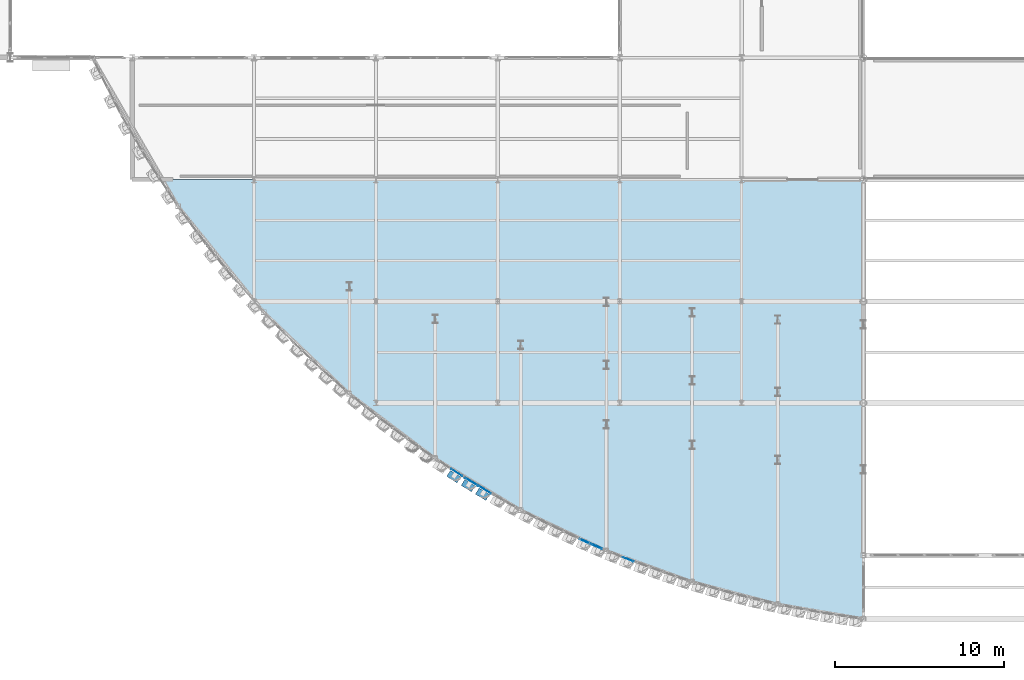
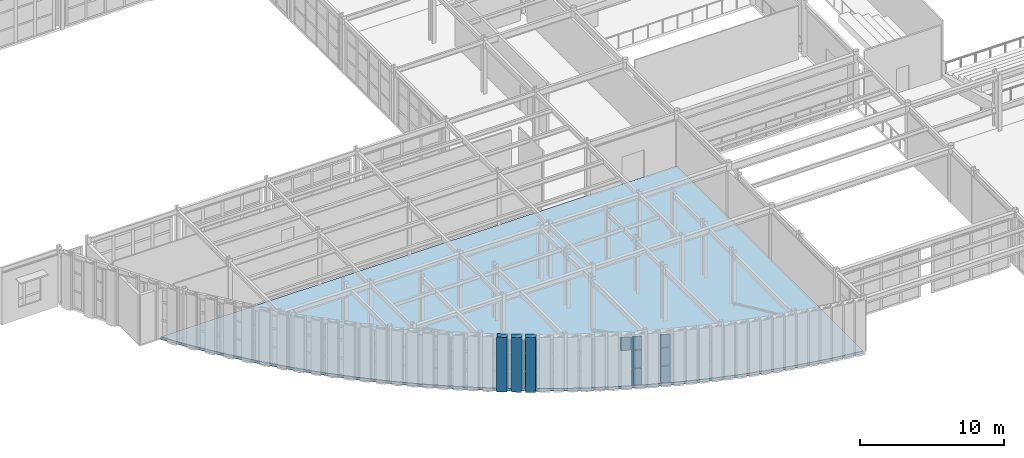
# One storey, part 76 of 121: 19 plates, 1 slab, 4 elements without a shape of their own.
"""IFC4 building model written with IfcOpenShell, lengths in metres."""

from ifc_helpers import new_model, si_unit, direction, frame, origin, origin_2d, place, context, subcontext, project, spatial, polyline, rectangle, outline, extrude, material, layer, layer_set, type_object, element, aggregate, save


model = new_model("IFC4")

# Units and contexts
model_context = context("Model", 3, precision=1e-05, world=origin(), true_north=direction((0.0, 1.0)))
body_context = subcontext(model_context, "Body", "Model", "MODEL_VIEW")
ifc_project = project(units=[si_unit("LENGTHUNIT", "METRE"), si_unit("AREAUNIT", "SQUARE_METRE"), si_unit("VOLUMEUNIT", "CUBIC_METRE"), si_unit("PLANEANGLEUNIT", "RADIAN"), si_unit("MASSUNIT", "GRAM", prefix="KILO")], contexts=[model_context])

# Site, building, storey
site_placement = place(None, origin())
site = spatial("IfcSite", under=ifc_project, at=site_placement, CompositionType="ELEMENT")
building_placement = place(site_placement, origin())
building = spatial("IfcBuilding", under=site, at=building_placement, Name="Solvadek Multi-Sports Hall", CompositionType="ELEMENT")
storey_placement = place(building_placement, frame((0.0, 0.0, 4.800048828125)))
storey = spatial("IfcBuildingStorey", under=building, at=storey_placement, Name="L01", CompositionType="ELEMENT", Elevation=4.800048828125)

# Curtain wall, plates
ifc_material_1 = material(Name="Anodised aluminium", Category="aluminium")
ifc_layer_1 = layer(ifc_material_1, 0.159912109375, Name="Anodised aluminium")
ifc_layer_set_1 = layer_set([ifc_layer_1], Name="Anodised aluminium")
curtain_wall_type_1 = type_object("IfcCurtainWallType", Name="ENV-CW-174X420", PredefinedType="USERDEFINED", material=ifc_layer_set_1)
curtain_wall_1_placement = place(storey_placement, origin())
curtain_wall_1 = element("IfcCurtainWall", 1, at=curtain_wall_1_placement, inside=storey, type_object=curtain_wall_type_1, Name="L01 Crescent Curved Curtain Wall #25", ObjectType="CURTAIN WALL", PredefinedType="USERDEFINED")
ifc_material_2 = material(Name="Tempered laminated low-E glass", Category="glass")
ifc_layer_2 = layer(ifc_material_2, 0.02392578125, Name="Tempered laminated low-E glass")
ifc_layer_set_2 = layer_set([ifc_layer_2], Name="Tempered laminated low-E glass")
plate_type_1 = type_object("IfcPlateType", Name="ENV-CWP-01", PredefinedType="CURTAIN_PANEL", material=ifc_layer_set_2)
plate_1_placement = place(storey_placement, frame((47.97998046875, -4.1103515625, 0.06005859375), z_axis=(0.0, 0.0, 1.0), x_axis=(0.839045645786, -0.544061029929, 0.0)))
plate_1 = element("IfcPlate", 2, at=plate_1_placement, type_object=plate_type_1, Name="CW-12 panel 2.1", PredefinedType="CURTAIN_PANEL", context=body_context, shape_type="SweptSolid", body=[
    extrude(rectangle(XDim=0.772705078125, YDim=0.02392578125, at=origin_2d()), origin(), (0.0, 0.0, 1.0), 1.3798828125),
])
plate_2_placement = place(storey_placement, frame((47.97998046875, -4.1103515625, 1.5), z_axis=(0.0, 0.0, 1.0), x_axis=(0.839045645786, -0.544061029929, 0.0)))
plate_2 = element("IfcPlate", 3, at=plate_2_placement, type_object=plate_type_1, Name="CW-12 panel 2.2", PredefinedType="CURTAIN_PANEL", context=body_context, shape_type="SweptSolid", body=[
    extrude(rectangle(XDim=0.772705078125, YDim=0.02392578125, at=origin_2d()), origin(), (0.0, 0.0, 1.0), 1.493896484375),
])
plate_3_placement = place(storey_placement, frame((47.97998046875, -4.1103515625, 3.053955078125), z_axis=(0.0, 0.0, 1.0), x_axis=(0.839045645786, -0.544061029929, 0.0)))
plate_3 = element("IfcPlate", 4, at=plate_3_placement, type_object=plate_type_1, Name="CW-12 panel 2.3", PredefinedType="CURTAIN_PANEL", context=body_context, shape_type="SweptSolid", body=[
    extrude(rectangle(XDim=0.772705078125, YDim=0.02392578125, at=origin_2d()), origin(), (0.0, 0.0, 1.0), 1.0859375),
])
aggregate(curtain_wall_1, [plate_1, plate_2, plate_3])

ifc_layer_3 = layer(ifc_material_1, 0.159912109375, Name="Anodised aluminium")
ifc_layer_set_3 = layer_set([ifc_layer_3], Name="Anodised aluminium")
curtain_wall_type_2 = type_object("IfcCurtainWallType", Name="ENV-CW-155X420", PredefinedType="USERDEFINED", material=ifc_layer_set_3)
curtain_wall_2_placement = place(storey_placement, origin())
curtain_wall_2 = element("IfcCurtainWall", 5, at=curtain_wall_2_placement, inside=storey, type_object=curtain_wall_type_2, Name="L01 Crescent Curved Curtain Wall #37", ObjectType="CURTAIN WALL", PredefinedType="USERDEFINED")
plate_4_placement = place(storey_placement, frame((58.10302734375, -9.236083984375, 0.06494140625), z_axis=(0.0, 0.0, 1.0), x_axis=(0.928966641619, -0.370163448708, 0.0)))
plate_4 = element("IfcPlate", 6, at=plate_4_placement, type_object=plate_type_1, Name="CW-18 panel 2.1", PredefinedType="CURTAIN_PANEL", context=body_context, shape_type="SweptSolid", body=[
    extrude(rectangle(XDim=0.67529296875, YDim=0.02392578125, at=origin_2d()), origin(), (0.0, 0.0, 1.0), 1.37255859375),
])
plate_5_placement = place(storey_placement, frame((58.10302734375, -9.236083984375, 1.50244140625), z_axis=(0.0, 0.0, 1.0), x_axis=(0.928966641619, -0.370163448708, 0.0)))
plate_5 = element("IfcPlate", 7, at=plate_5_placement, type_object=plate_type_1, Name="CW-18 panel 2.2", PredefinedType="CURTAIN_PANEL", context=body_context, shape_type="SweptSolid", body=[
    extrude(rectangle(XDim=0.67529296875, YDim=0.02392578125, at=origin_2d()), origin(), (0.0, 0.0, 1.0), 1.489013671875),
])
plate_6_placement = place(storey_placement, frame((58.10302734375, -9.236083984375, 3.056396484375), z_axis=(0.0, 0.0, 1.0), x_axis=(0.928966641619, -0.370163448708, 0.0)))
plate_6 = element("IfcPlate", 8, at=plate_6_placement, type_object=plate_type_1, Name="CW-18 panel 2.3", PredefinedType="CURTAIN_PANEL", context=body_context, shape_type="SweptSolid", body=[
    extrude(rectangle(XDim=0.67529296875, YDim=0.02392578125, at=origin_2d()), origin(), (0.0, 0.0, 1.0), 1.07861328125),
])
aggregate(curtain_wall_2, [plate_4, plate_5, plate_6])

ifc_layer_4 = layer(ifc_material_1, 0.159912109375, Name="Anodised aluminium")
ifc_layer_set_4 = layer_set([ifc_layer_4], Name="Anodised aluminium")
curtain_wall_type_3 = type_object("IfcCurtainWallType", Name="ENV-CW-191X420", PredefinedType="USERDEFINED", material=ifc_layer_set_4)
curtain_wall_3_placement = place(storey_placement, origin())
curtain_wall_3 = element("IfcCurtainWall", 9, at=curtain_wall_3_placement, inside=storey, type_object=curtain_wall_type_3, Name="L01 Crescent Curved Curtain Wall #27", ObjectType="CURTAIN WALL", PredefinedType="USERDEFINED")
ifc_layer_5 = layer(ifc_material_2, 0.028076171875, Name="Tempered laminated low-E glass")
ifc_layer_set_5 = layer_set([ifc_layer_5], Name="Tempered laminated low-E glass")
plate_type_2 = type_object("IfcPlateType", Name="ENV-CWP-02", PredefinedType="CURTAIN_PANEL", material=ifc_layer_set_5)
plate_7_placement = place(storey_placement, frame((48.832275390625, -4.6416015625, 0.06005859375), z_axis=(0.0, 0.0, 1.0), x_axis=(0.857155142512, -0.515058308995, 0.0)))
plate_7 = element("IfcPlate", 10, at=plate_7_placement, type_object=plate_type_2, Name="CW-13 panel 1.1", PredefinedType="CURTAIN_PANEL", context=body_context, shape_type="SweptSolid", body=[
    extrude(rectangle(XDim=0.8564453125, YDim=0.028076171875, at=origin_2d()), origin(), (0.0, 0.0, 1.0), 1.3798828125),
])
plate_8_placement = place(storey_placement, frame((48.832275390625, -4.6416015625, 1.5), z_axis=(0.0, 0.0, 1.0), x_axis=(0.857155142512, -0.515058308995, 0.0)))
plate_8 = element("IfcPlate", 11, at=plate_8_placement, type_object=plate_type_2, Name="CW-13 panel 1.2", PredefinedType="CURTAIN_PANEL", context=body_context, shape_type="SweptSolid", body=[
    extrude(rectangle(XDim=0.8564453125, YDim=0.028076171875, at=origin_2d()), origin(), (0.0, 0.0, 1.0), 1.493896484375),
])
plate_9_placement = place(storey_placement, frame((48.832275390625, -4.6416015625, 3.053955078125), z_axis=(0.0, 0.0, 1.0), x_axis=(0.857155142512, -0.515058308995, 0.0)))
plate_9 = element("IfcPlate", 12, at=plate_9_placement, type_object=plate_type_2, Name="CW-13 panel 1.3", PredefinedType="CURTAIN_PANEL", context=body_context, shape_type="SweptSolid", body=[
    extrude(rectangle(XDim=0.8564453125, YDim=0.028076171875, at=origin_2d()), origin(), (0.0, 0.0, 1.0), 1.0859375),
])
plate_10_placement = place(storey_placement, frame((49.622314453125, -5.1162109375, 0.06005859375), z_axis=(0.0, 0.0, 1.0), x_axis=(0.857155142512, -0.515058308995, 0.0)))
plate_10 = element("IfcPlate", 13, at=plate_10_placement, type_object=plate_type_2, Name="CW-13 panel 2.1", PredefinedType="CURTAIN_PANEL", context=body_context, shape_type="SweptSolid", body=[
    extrude(rectangle(XDim=0.8564453125, YDim=0.028076171875, at=origin_2d()), origin(), (0.0, 0.0, 1.0), 1.3798828125),
])
plate_11_placement = place(storey_placement, frame((49.622314453125, -5.1162109375, 1.5), z_axis=(0.0, 0.0, 1.0), x_axis=(0.857155142512, -0.515058308995, 0.0)))
plate_11 = element("IfcPlate", 14, at=plate_11_placement, type_object=plate_type_2, Name="CW-13 panel 2.2", PredefinedType="CURTAIN_PANEL", context=body_context, shape_type="SweptSolid", body=[
    extrude(rectangle(XDim=0.8564453125, YDim=0.028076171875, at=origin_2d()), origin(), (0.0, 0.0, 1.0), 1.493896484375),
])
plate_12_placement = place(storey_placement, frame((49.622314453125, -5.1162109375, 3.053955078125), z_axis=(0.0, 0.0, 1.0), x_axis=(0.857155142512, -0.515058308995, 0.0)))
plate_12 = element("IfcPlate", 15, at=plate_12_placement, type_object=plate_type_2, Name="CW-13 panel 2.3", PredefinedType="CURTAIN_PANEL", context=body_context, shape_type="SweptSolid", body=[
    extrude(rectangle(XDim=0.8564453125, YDim=0.028076171875, at=origin_2d()), origin(), (0.0, 0.0, 1.0), 1.0859375),
])
aggregate(curtain_wall_3, [plate_7, plate_8, plate_9, plate_10, plate_11, plate_12])

ifc_layer_6 = layer(ifc_material_1, 0.159912109375, Name="Anodised aluminium")
ifc_layer_set_6 = layer_set([ifc_layer_6], Name="Anodised aluminium")
curtain_wall_type_4 = type_object("IfcCurtainWallType", Name="ENV-CW-157X420", PredefinedType="USERDEFINED", material=ifc_layer_set_6)
curtain_wall_4_placement = place(storey_placement, origin())
curtain_wall_4 = element("IfcCurtainWall", 16, at=curtain_wall_4_placement, inside=storey, type_object=curtain_wall_type_4, Name="L01 Crescent Curved Curtain Wall #35", ObjectType="CURTAIN WALL", PredefinedType="USERDEFINED")
ifc_layer_7 = layer(ifc_material_2, 0.048095703125, Name="Tempered laminated low-E glass")
ifc_layer_set_7 = layer_set([ifc_layer_7], Name="Tempered laminated low-E glass")
plate_type_3 = type_object("IfcPlateType", Name="ENV-CWP-06", PredefinedType="CURTAIN_PANEL", material=ifc_layer_set_7)
plate_13_placement = place(storey_placement, frame((55.533447265625, -8.1650390625, 3.053955078125), z_axis=(0.0, 0.0, 1.0), x_axis=(0.916926176116, -0.399056872581, 0.0)))
plate_13 = element("IfcPlate", 17, at=plate_13_placement, type_object=plate_type_3, Name="CW-17 panel 1.3", PredefinedType="CURTAIN_PANEL", context=body_context, shape_type="SweptSolid", body=[
    extrude(rectangle(XDim=0.687255859375, YDim=0.048095703125, at=origin_2d()), origin(), (0.0, 0.0, 1.0), 1.0859375),
])
plate_14_placement = place(storey_placement, frame((56.223388671875, -8.46533203125, 0.06005859375), z_axis=(0.0, 0.0, 1.0), x_axis=(0.916926176116, -0.399056872581, 0.0)))
plate_14 = element("IfcPlate", 18, at=plate_14_placement, type_object=plate_type_3, Name="CW-17 panel 2.1", PredefinedType="CURTAIN_PANEL", context=body_context, shape_type="SweptSolid", body=[
    extrude(rectangle(XDim=0.687255859375, YDim=0.048095703125, at=origin_2d()), origin(), (0.0, 0.0, 1.0), 1.3798828125),
])
plate_15_placement = place(storey_placement, frame((56.223388671875, -8.46533203125, 1.5), z_axis=(0.0, 0.0, 1.0), x_axis=(0.916926176116, -0.399056872581, 0.0)))
plate_15 = element("IfcPlate", 19, at=plate_15_placement, type_object=plate_type_3, Name="CW-17 panel 2.2", PredefinedType="CURTAIN_PANEL", context=body_context, shape_type="SweptSolid", body=[
    extrude(rectangle(XDim=0.687255859375, YDim=0.048095703125, at=origin_2d()), origin(), (0.0, 0.0, 1.0), 1.493896484375),
])
plate_16_placement = place(storey_placement, frame((56.223388671875, -8.46533203125, 3.053955078125), z_axis=(0.0, 0.0, 1.0), x_axis=(0.916926176116, -0.399056872581, 0.0)))
plate_16 = element("IfcPlate", 20, at=plate_16_placement, type_object=plate_type_3, Name="CW-17 panel 2.3", PredefinedType="CURTAIN_PANEL", context=body_context, shape_type="SweptSolid", body=[
    extrude(rectangle(XDim=0.687255859375, YDim=0.048095703125, at=origin_2d()), origin(), (0.0, 0.0, 1.0), 1.0859375),
])
aggregate(curtain_wall_4, [plate_13, plate_14, plate_15, plate_16])

# Plates
ifc_material_3 = material(Name="Perforated champagne-bronze anodised aluminium", Category="aluminium")
ifc_layer_8 = layer(ifc_material_3, 0.419921875, Name="Perforated champagne-bronze anodised aluminium")
ifc_layer_set_8 = layer_set([ifc_layer_8], Name="Perforated champagne-bronze anodised aluminium")
plate_type_4 = type_object("IfcPlateType", Name="ENV-FLT-440", PredefinedType="USERDEFINED", material=ifc_layer_set_8)
for number, where, z_axis, x_axis, name in (
    (21, (47.799072265625, -4.350341796875, 0.0400390625), (0.0, 0.0, 1.0), (0.839053337602, -0.544049167502, 0.0), "L01 Half-Cylinder Colonnade Flute #50"),
    (22, (48.651123046875, -4.882568359375, 0.0400390625), (0.0, 0.0, 1.0), (0.857129541862, -0.515100910956, 0.0), "L01 Half-Cylinder Colonnade Flute #53"),
    (23, (49.494384765625, -5.389404296875, 0.0400390625), (0.0, 0.0, 1.0), (0.857129541862, -0.515100910956, 0.0), "L01 Half-Cylinder Colonnade Flute #54"),
):
    element("IfcPlate", number, at=place(storey_placement, frame(where, z_axis=z_axis, x_axis=x_axis)), inside=storey, type_object=plate_type_4, Name=name, ObjectType="FLANGED_SHEET", PredefinedType="USERDEFINED", context=body_context, shape_type="SweptSolid", body=[
        extrude(rectangle(XDim=0.719970703125, YDim=0.419921875, at=origin_2d()), origin(), (0.0, 0.0, 1.0), 4.64990234375),
    ])

# Slab
ifc_material_4 = material(Name="Concrete M35", Category="concrete")
ifc_layer_9 = layer(ifc_material_4, 0.219970703125, Name="Concrete M35")
ifc_layer_set_9 = layer_set([ifc_layer_9], Name="Concrete M35")
slab_type = type_object("IfcSlabType", Name="STR-SLB-FLR220", PredefinedType="FLOOR", material=ifc_layer_set_9)
slab_placement = place(storey_placement, frame((0.0, 0.0, -0.219970703125)))
element("IfcSlab", 24, at=slab_placement, inside=storey, type_object=slab_type, Name="L01 West Crescent Curved Slab #22", PredefinedType="FLOOR", context=body_context, shape_type="SweptSolid", body=[
    extrude(outline(polyline([(30.478515625, 13.199951171875), (72.0, 13.199951171875), (72.0, -12.7529296875), (70.31298828125, -12.517578125), (68.626220703125, -12.2314453125), (66.939453125, -11.893798828125), (65.25244140625, -11.50390625), (63.565673828125, -11.060791015625), (61.87890625, -10.562744140625), (60.19189453125, -10.008544921875), (58.505126953125, -9.396240234375), (56.818115234375, -8.72412109375), (55.13134765625, -7.989990234375), (53.444580078125, -7.19091796875), (51.757568359375, -6.323974609375), (50.07080078125, -5.3857421875), (48.3837890625, -4.3720703125), (46.697021484375, -3.2783203125), (45.010009765625, -2.0986328125), (43.3232421875, -0.826904296875), (41.636474609375, 0.54541015625), (39.949462890625, 2.027587890625), (38.2626953125, 3.631103515625), (36.57568359375, 5.37158203125), (34.888916015625, 7.26708984375), (33.2021484375, 9.3427734375), (31.51513671875, 11.63232421875), (30.478515625, 13.199951171875)])), origin(), (0.0, 0.0, 1.0), 0.219970703125),
])

save(model, "model.ifc")
